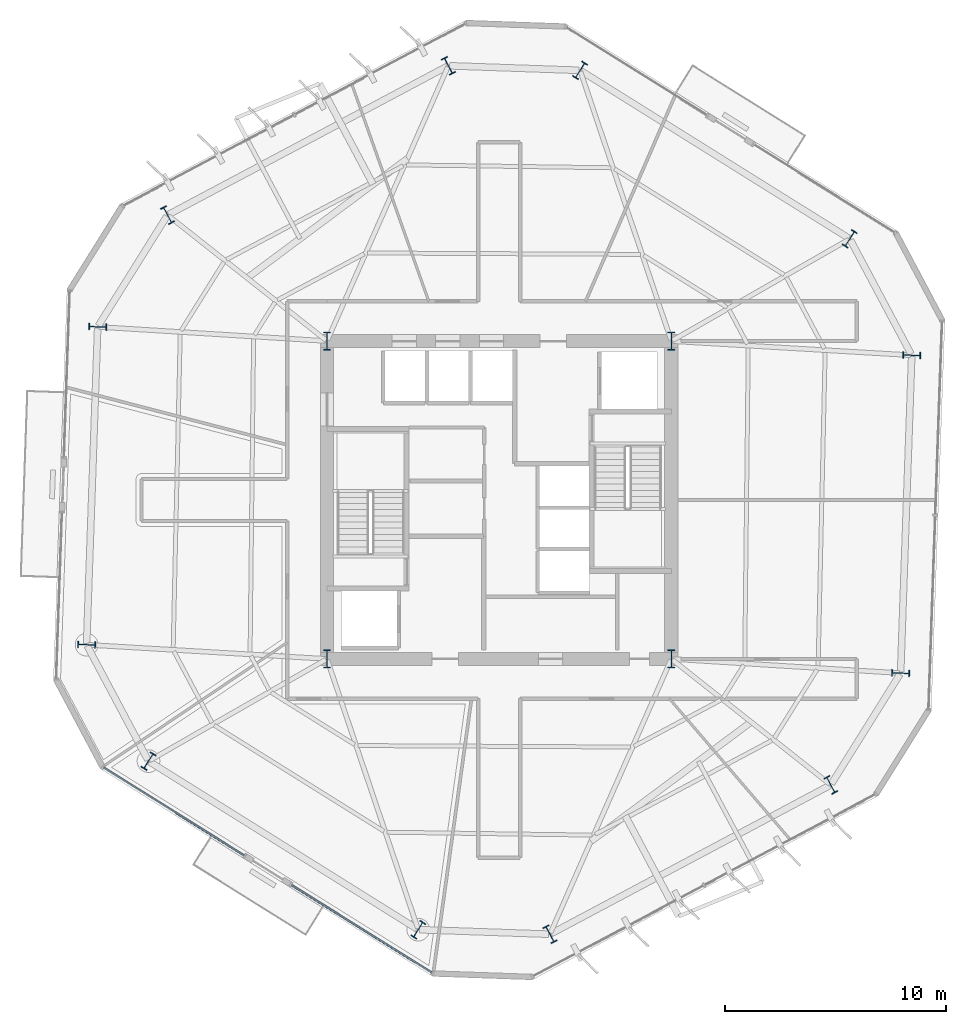
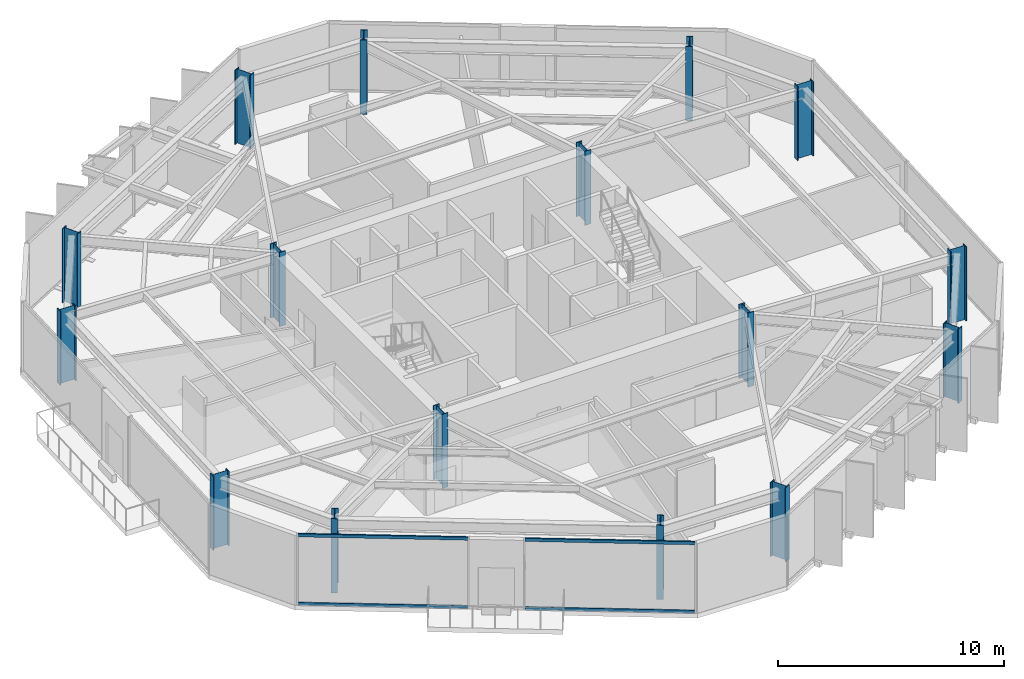
# One storey, part 1 of 12: 16 columns, 4 members, 2 elements without a shape of their own.
"""IFC4 building model written with IfcOpenShell, lengths in metres."""

from ifc_helpers import new_model, si_unit, direction, frame, origin, origin_2d, place, context, subcontext, project, spatial, rectangle, i_section, extrude, material, layer, layer_set, material_profile, profile_set, type_object, element, aggregate, save


model = new_model("IFC4")

# Units and contexts
model_context = context("Model", 3, precision=1e-05, world=origin(), true_north=direction((0.0, 1.0)))
body_context = subcontext(model_context, "Body", "Model", "MODEL_VIEW")
ifc_project = project(units=[si_unit("LENGTHUNIT", "METRE"), si_unit("AREAUNIT", "SQUARE_METRE"), si_unit("VOLUMEUNIT", "CUBIC_METRE"), si_unit("PLANEANGLEUNIT", "RADIAN"), si_unit("MASSUNIT", "GRAM", prefix="KILO")], contexts=[model_context])

# Site, building, storey
site_placement = place(None, origin())
site = spatial("IfcSite", under=ifc_project, at=site_placement, CompositionType="ELEMENT")
building_placement = place(site_placement, origin())
building = spatial("IfcBuilding", under=site, at=building_placement, Name="Kranzbogen Civic Tower", CompositionType="ELEMENT")
storey_placement = place(building_placement, frame((0.0, 0.0, 134.39990234375)))
storey = spatial("IfcBuildingStorey", under=building, at=storey_placement, Name="L32", CompositionType="ELEMENT", Elevation=134.39990234375)

# Columns
ifc_material_1 = material(Name="Steel S460", Category="steel")
ifc_material_profile_1 = material_profile(ifc_material_1, i_section(OverallWidth=0.302978515625, OverallDepth=0.81396484375, WebThickness=0.02099609375, FlangeThickness=0.0400390625, at=origin_2d()), Name="HEM 800")
ifc_profile_set_1 = profile_set([ifc_material_profile_1], Name="Steel S460")
column_type = type_object("IfcColumnType", Name="Structural Column HEM 800", PredefinedType="COLUMN", material=ifc_profile_set_1)
for number, where, z_axis, x_axis, name in (
    (1, (17.199951171875, 17.800048828125, 0.0), (0.0, 0.0, 1.0), (1.0, 0.0, 0.0), "L32 composite core corner column 1"),
    (2, (32.800048828125, 17.800048828125, 0.0), (0.0, 0.0, 1.0), (1.0, 0.0, 0.0), "L32 composite core corner column 2"),
    (3, (32.800048828125, 32.199951171875, 0.0), (0.0, 0.0, 1.0), (1.0, 0.0, 0.0), "L32 composite core corner column 3"),
    (4, (17.199951171875, 32.199951171875, 0.0), (0.0, 0.0, 1.0), (1.0, 0.0, 0.0), "L32 composite core corner column 4"),
    (5, (40.885986328125, 36.8291015625, 0.0), (0.0, 0.0, 1.0), (-0.848048096156, 0.529919264233, 0.0), "L32 tower perimeter tube column 01"),
    (6, (28.66796875, 44.464111328125, 0.0), (0.0, 0.0, 1.0), (-0.848048096156, 0.529919264233, 0.0), "L32 tower perimeter tube column 02"),
    (7, (22.698974609375, 44.672119140625, 0.0), (0.0, 0.0, 1.0), (0.882947592859, 0.469471562786, 0.0), "L32 tower perimeter tube column 03"),
    (8, (9.97705078125, 37.907958984375, 0.0), (0.0, 0.0, 1.0), (0.882947592859, 0.469471562786, 0.0), "L32 tower perimeter tube column 04"),
    (9, (6.81298828125, 32.843994140625, 0.0), (0.0, 0.0, 1.0), (0.034899496703, 0.999390827019, 0.0), "L32 tower perimeter tube column 05"),
    (10, (6.31005859375, 18.444091796875, 0.0), (0.0, 0.0, 1.0), (0.034899496703, 0.999390827019, 0.0), "L32 tower perimeter tube column 06"),
    (11, (9.114013671875, 13.1708984375, 0.0), (0.0, 0.0, 1.0), (-0.848048096156, 0.529919264233, 0.0), "L32 tower perimeter tube column 07"),
    (12, (21.33203125, 5.535888671875, 0.0), (0.0, 0.0, 1.0), (-0.848048096156, 0.529919264233, 0.0), "L32 tower perimeter tube column 08"),
    (13, (27.301025390625, 5.327880859375, 0.0), (0.0, 0.0, 1.0), (0.882947592859, 0.469471562786, 0.0), "L32 tower perimeter tube column 09"),
    (14, (40.02294921875, 12.092041015625, 0.0), (0.0, 0.0, 1.0), (0.882947592859, 0.469471562786, 0.0), "L32 tower perimeter tube column 10"),
    (15, (43.18701171875, 17.156005859375, 0.0), (0.0, 0.0, 1.0), (0.034899496703, 0.999390827019, 0.0), "L32 tower perimeter tube column 11"),
    (16, (43.68994140625, 31.555908203125, 0.0), (0.0, 0.0, 1.0), (0.034899496703, 0.999390827019, 0.0), "L32 tower perimeter tube column 12"),
):
    element("IfcColumn", number, at=place(storey_placement, frame(where, z_axis=z_axis, x_axis=x_axis)), inside=storey, type_object=column_type, Name=name, PredefinedType="COLUMN", context=body_context, shape_type="SweptSolid", body=[
        extrude(i_section(OverallWidth=0.302978515625, OverallDepth=0.81396484375, WebThickness=0.02099609375, FlangeThickness=0.0400390625, at=origin_2d()), origin(), (0.0, 0.0, 1.0), 4.0),
    ])

# Curtain wall, members
ifc_material_2 = material(Name="Pale Anodised Aluminium", Category="aluminium")
ifc_layer = layer(ifc_material_2, 0.219970703125, Name="Pale Anodised Aluminium")
ifc_layer_set = layer_set([ifc_layer], Name="Pale Anodised Aluminium")
curtain_wall_type = type_object("IfcCurtainWallType", Name="Zone 2 Stick Curtain Wall System CW-03", PredefinedType="USERDEFINED", material=ifc_layer_set)
curtain_wall_1_placement = place(storey_placement, origin())
curtain_wall_1 = element("IfcCurtainWall", 17, at=curtain_wall_1_placement, inside=storey, type_object=curtain_wall_type, Name="L32 curtain wall CW-L32-F4-S1", ObjectType="STICK CURTAIN WALL", PredefinedType="USERDEFINED")
ifc_material_profile_2 = material_profile(ifc_material_2, rectangle(XDim=0.074951171875, YDim=0.1650390625, at=origin_2d()), Name="ALU-T 75x165")
ifc_profile_set_2 = profile_set([ifc_material_profile_2], Name="Pale Anodised Aluminium")
member_type = type_object("IfcMemberType", Name="Curtain Wall Transom ALU-T 75x165", PredefinedType="USERDEFINED", material=ifc_profile_set_2)
member_1_placement = place(storey_placement, frame((7.080810546875, 12.881103515625, 0.030029296875), z_axis=(0.84808773768, -0.529855819254, 0.0), x_axis=(0.529855819254, 0.84808773768, 0.0)))
member_1 = element("IfcMember", 18, at=member_1_placement, type_object=member_type, Name="CW-03 transom 1.1", ObjectType="TRANSOM", PredefinedType="USERDEFINED", context=body_context, shape_type="SweptSolid", body=[
    extrude(rectangle(XDim=0.074951171875, YDim=0.1650390625, at=origin_2d()), origin(), (0.0, 0.0, 1.0), 7.513671875),
])
member_2_placement = place(storey_placement, frame((7.080810546875, 12.881103515625, 3.72998046875), z_axis=(0.84808773768, -0.529855819254, 0.0), x_axis=(0.529855819254, 0.84808773768, 0.0)))
member_2 = element("IfcMember", 19, at=member_2_placement, type_object=member_type, Name="CW-03 transom 1.2", ObjectType="TRANSOM", PredefinedType="USERDEFINED", context=body_context, shape_type="SweptSolid", body=[
    extrude(rectangle(XDim=0.074951171875, YDim=0.1650390625, at=origin_2d()), origin(), (0.0, 0.0, 1.0), 7.513671875),
])
aggregate(curtain_wall_1, [member_1, member_2])

curtain_wall_2_placement = place(storey_placement, origin())
curtain_wall_2 = element("IfcCurtainWall", 20, at=curtain_wall_2_placement, inside=storey, type_object=curtain_wall_type, Name="L32 curtain wall CW-L32-F4-S2", ObjectType="STICK CURTAIN WALL", PredefinedType="USERDEFINED")
member_3_placement = place(storey_placement, frame((15.58984375, 7.564208984375, 0.030029296875), z_axis=(0.848109621938, -0.529820789679, 0.0), x_axis=(0.529820789679, 0.848109621938, 0.0)))
member_3 = element("IfcMember", 21, at=member_3_placement, type_object=member_type, Name="CW-03 transom 1.1", ObjectType="TRANSOM", PredefinedType="USERDEFINED", context=body_context, shape_type="SweptSolid", body=[
    extrude(rectangle(XDim=0.074951171875, YDim=0.1650390625, at=origin_2d()), origin(), (0.0, 0.0, 1.0), 7.5146484375),
])
member_4_placement = place(storey_placement, frame((15.58984375, 7.564208984375, 3.72998046875), z_axis=(0.848109621938, -0.529820789679, 0.0), x_axis=(0.529820789679, 0.848109621938, 0.0)))
member_4 = element("IfcMember", 22, at=member_4_placement, type_object=member_type, Name="CW-03 transom 1.2", ObjectType="TRANSOM", PredefinedType="USERDEFINED", context=body_context, shape_type="SweptSolid", body=[
    extrude(rectangle(XDim=0.074951171875, YDim=0.1650390625, at=origin_2d()), origin(), (0.0, 0.0, 1.0), 7.5146484375),
])
aggregate(curtain_wall_2, [member_3, member_4])

save(model, "model.ifc")
